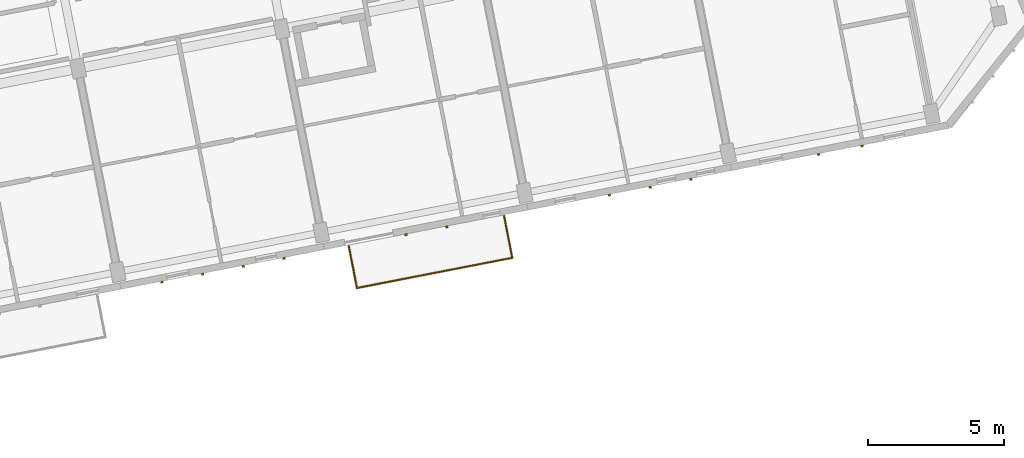
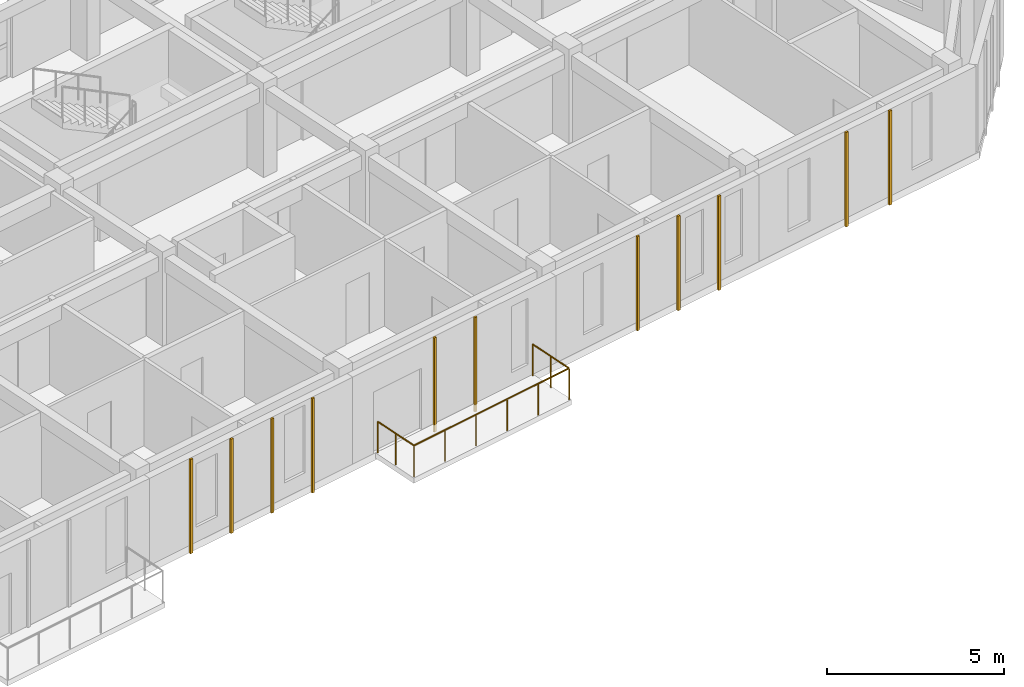
# One storey, part 65 of 74: 11 coverings, 1 railing.
"""IFC4 building model written with IfcOpenShell, lengths in metres."""

from ifc_helpers import new_model, si_unit, direction, frame, origin, origin_2d, place, context, subcontext, project, spatial, rectangle, circle, extrude, material, layer, layer_set, type_object, element, save


model = new_model("IFC4")

# Units and contexts
model_context = context("Model", 3, precision=1e-05, world=origin(), true_north=direction((0.0, 1.0)))
body_context = subcontext(model_context, "Body", "Model", "MODEL_VIEW")
ifc_project = project(units=[si_unit("LENGTHUNIT", "METRE"), si_unit("AREAUNIT", "SQUARE_METRE"), si_unit("VOLUMEUNIT", "CUBIC_METRE"), si_unit("PLANEANGLEUNIT", "RADIAN"), si_unit("MASSUNIT", "GRAM", prefix="KILO")], contexts=[model_context])

# Site, building, storey
site_placement = place(None, origin())
site = spatial("IfcSite", under=ifc_project, at=site_placement, CompositionType="ELEMENT")
building_placement = place(site_placement, origin())
building = spatial("IfcBuilding", under=site, at=building_placement, Name="Kestramere Prow Commons", CompositionType="ELEMENT")
storey_placement = place(building_placement, frame((0.0, 0.0, 11.64990234375)))
storey = spatial("IfcBuildingStorey", under=building, at=storey_placement, Name="L03", CompositionType="ELEMENT", Elevation=11.64990234375)

# Coverings
ifc_material_1 = material(Name="Weathered Zinc-Titanium Standing-Seam Cladding")
ifc_layer = layer(ifc_material_1, 0.074951171875)
ifc_layer_set = layer_set([ifc_layer], Name="Weathered Zinc-Titanium Standing-Seam Cladding")
covering_type = type_object("IfcCoveringType", Name="COV-CLAD-SEAM", PredefinedType="CLADDING", material=ifc_layer_set)
for number, where, z_axis, x_axis, name in (
    (1, (139.418212890625, 37.395263671875, -0.25), (0.0, 0.0, 1.0), (-0.981627183448, -0.190808995377, 0.0), "EW-D-L03-S-2 Standing-Seam Rib 1"),
    (2, (137.92626953125, 37.105224609375, -0.25), (0.0, 0.0, 1.0), (-0.981627183448, -0.190808995377, 0.0), "EW-D-L03-S-2 Standing-Seam Rib 2"),
    (3, (136.43408203125, 36.815185546875, -0.25), (0.0, 0.0, 1.0), (-0.981627183448, -0.190808995377, 0.0), "EW-D-L03-S-2 Standing-Seam Rib 3"),
    (4, (134.942138671875, 36.525390625, -0.25), (0.0, 0.0, 1.0), (-0.981627183448, -0.190808995377, 0.0), "EW-D-L03-S-2 Standing-Seam Rib 4"),
    (5, (145.386474609375, 38.555419921875, -0.25), (0.0, 0.0, 1.0), (-0.981627183448, -0.190808995377, 0.0), "EW-D-L03-S-3 Standing-Seam Rib 2"),
    (6, (143.89453125, 38.265380859375, -0.25), (0.0, 0.0, 1.0), (-0.981627183448, -0.190808995377, 0.0), "EW-D-L03-S-3 Standing-Seam Rib 3"),
    (7, (154.339111328125, 40.295654296875, -0.25), (0.0, 0.0, 1.0), (-0.981627183448, -0.190808995377, 0.0), "EW-D-L03-S-4 Standing-Seam Rib 1"),
    (8, (152.846923828125, 40.005615234375, -0.25), (0.0, 0.0, 1.0), (-0.981627183448, -0.190808995377, 0.0), "EW-D-L03-S-4 Standing-Seam Rib 2"),
    (9, (151.35498046875, 39.715576171875, -0.25), (0.0, 0.0, 1.0), (-0.981627183448, -0.190808995377, 0.0), "EW-D-L03-S-4 Standing-Seam Rib 3"),
    (10, (160.616455078125, 41.515869140625, -0.25), (0.0, 0.0, 1.0), (-0.981627183448, -0.190808995377, 0.0), "EW-D-L03-S-5 Standing-Seam Rib 2"),
    (11, (159.021484375, 41.205810546875, -0.25), (0.0, 0.0, 1.0), (-0.981627183448, -0.190808995377, 0.0), "EW-D-L03-S-5 Standing-Seam Rib 3"),
):
    element("IfcCovering", number, at=place(storey_placement, frame(where, z_axis=z_axis, x_axis=x_axis)), inside=storey, type_object=covering_type, Name=name, PredefinedType="CLADDING", context=body_context, shape_type="SweptSolid", body=[
        extrude(rectangle(XDim=0.0849609375, YDim=0.06494140625, at=origin_2d()), origin(), (0.0, 0.0, 1.0), 3.25),
    ])

# Railing
ifc_material_2 = material(Name="Powder-Coated Aluminium 6063-T6", Category="aluminium")
railing_type = type_object("IfcRailingType", Name="GRD-BALC-1100", PredefinedType="BALUSTRADE", material=ifc_material_2)
railing_placement = place(storey_placement, frame((141.796142578125, 37.844970703125, 0.0)))
element("IfcRailing", 12, at=railing_placement, inside=storey, type_object=railing_type, Name="Block D L03 Balcony Guardrail 4", PredefinedType="BALUSTRADE", context=body_context, shape_type="SweptSolid", body=[
    extrude(circle(Radius=0.02392578125, at=origin_2d()), frame((0.0, 0.0, 1.076171875), z_axis=(0.190907354118, -0.981608059331, 0.0), x_axis=(0.981608059331, 0.190907354118, 0.0)), (0.0, 0.0, 1.0), 1.560302734375),
    extrude(circle(Radius=0.02392578125, at=origin_2d()), frame((0.2978515625, -1.531494140625, 1.076171875), z_axis=(0.981626779841, 0.190811071742, 0.0), x_axis=(-0.190811071742, 0.981626779841, 0.0)), (0.0, 0.0, 1.0), 5.7998046875),
    extrude(circle(Radius=0.02392578125, at=origin_2d()), frame((5.9912109375, -0.4248046875, 1.076171875), z_axis=(-0.190756568988, 0.981637372652, 0.0), x_axis=(-0.981637372652, -0.190756568988, 0.0)), (0.0, 0.0, 1.0), 1.56005859375),
    extrude(circle(Radius=0.02099609375, at=origin_2d()), origin(), (0.0, 0.0, 1.0), 1.052001953125),
    extrude(circle(Radius=0.02099609375, at=origin_2d()), frame((0.14892578125, -0.765625, 0.0)), (0.0, 0.0, 1.0), 1.052001953125),
    extrude(circle(Radius=0.02099609375, at=origin_2d()), frame((0.2978515625, -1.531494140625, 0.0)), (0.0, 0.0, 1.0), 1.052001953125),
    extrude(circle(Radius=0.02099609375, at=origin_2d()), frame((1.4365234375, -1.31005859375, 0.0)), (0.0, 0.0, 1.0), 1.052001953125),
    extrude(circle(Radius=0.02099609375, at=origin_2d()), frame((2.5751953125, -1.0888671875, 0.0)), (0.0, 0.0, 1.0), 1.052001953125),
    extrude(circle(Radius=0.02099609375, at=origin_2d()), frame((3.7138671875, -0.867431640625, 0.0)), (0.0, 0.0, 1.0), 1.052001953125),
    extrude(circle(Radius=0.02099609375, at=origin_2d()), frame((4.8525390625, -0.646240234375, 0.0)), (0.0, 0.0, 1.0), 1.052001953125),
    extrude(circle(Radius=0.02099609375, at=origin_2d()), frame((5.9912109375, -0.4248046875, 0.0)), (0.0, 0.0, 1.0), 1.052001953125),
    extrude(circle(Radius=0.02099609375, at=origin_2d()), frame((5.84228515625, 0.3408203125, 0.0)), (0.0, 0.0, 1.0), 1.052001953125),
    extrude(circle(Radius=0.02099609375, at=origin_2d()), frame((5.693603515625, 1.106689453125, 0.0)), (0.0, 0.0, 1.0), 1.052001953125),
])

save(model, "model.ifc")
